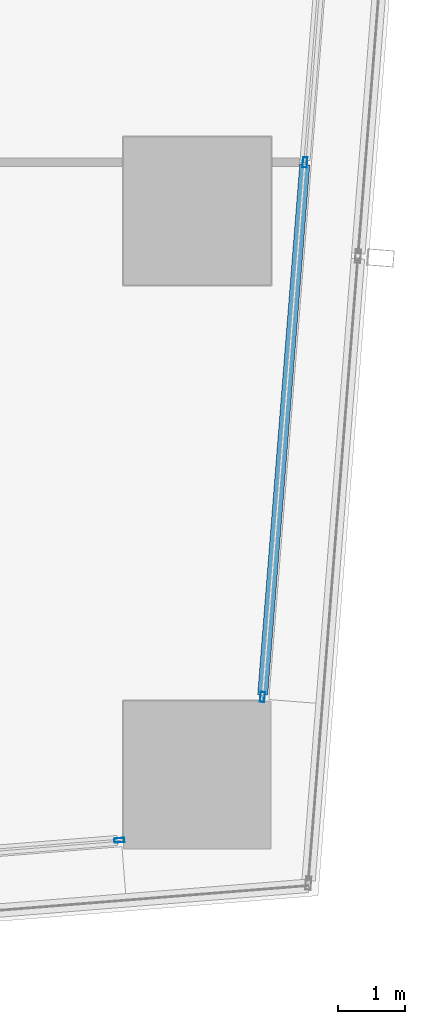
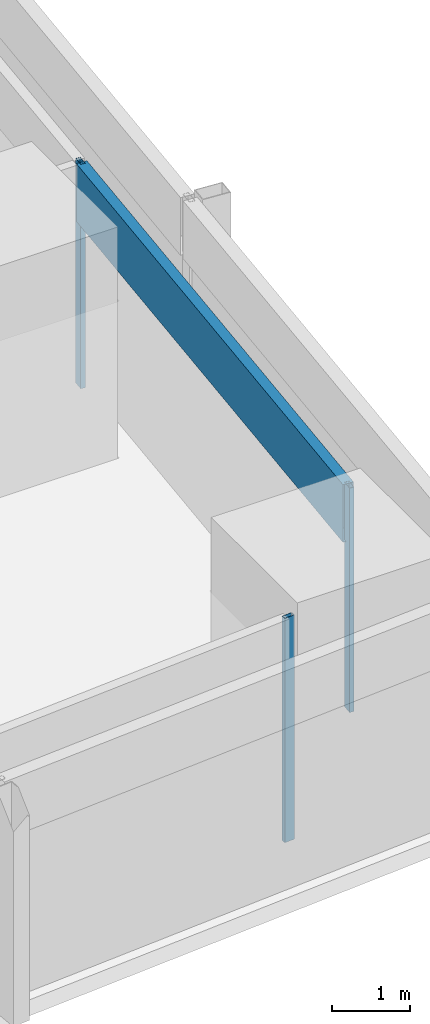
# One storey, part 12 of 44: 4 members, 2 elements without a shape of their own.
"""IFC4 building model written with IfcOpenShell, lengths in metres."""

import ifcopenshell
import ifcopenshell.guid

model = None  # the IFC model being written
_history = None  # IfcOwnerHistory: only IFC2X3 demands one
_inside = {}  # id of a spatial element -> (the spatial element, [elements in it])
_under = {}  # id of a project, library or spatial element -> (it, [spatial elements below it])
_declared = {}  # id of a project -> (the project, [libraries it declares])
_typed = {}  # id of a type object -> (the type object, [elements of that type])
_made_of = {}  # id of a material, layer set ... -> (it, [elements and type objects made of it])


def new_model(schema):
    """Start an empty IFC model of exactly this schema.

    Asked for "IFC4X3", IfcOpenShell would pick the latest addendum, in which some entities
    have other attributes; the version numbers below select the first issue.
    IFC2X3 requires an IfcOwnerHistory on every rooted entity: one is made here for all.
    """
    global model, _history
    if schema == "IFC4X3":
        model = ifcopenshell.file(schema_version=(4, 3, 0, 0))
    else:
        model = ifcopenshell.file(schema=schema)
    _inside.clear()
    _under.clear()
    _declared.clear()
    _typed.clear()
    _made_of.clear()
    _history = None
    if model.schema == "IFC2X3":
        org = make("IfcOrganization", Name="unknown")
        user = make(
            "IfcPersonAndOrganization",
            ThePerson=make("IfcPerson", FamilyName="unknown"),
            TheOrganization=org,
        )
        app = make(
            "IfcApplication",
            ApplicationDeveloper=org,
            Version="unknown",
            ApplicationFullName="unknown",
            ApplicationIdentifier="unknown",
        )
        _history = make(
            "IfcOwnerHistory",
            OwningUser=user,
            OwningApplication=app,
            ChangeAction="ADDED",
            CreationDate=0,
        )
    return model


def make(cls, **values):
    """One entity of the class cls with the attributes given. An attribute that is None is left unset."""
    return model.create_entity(
        cls, **{name: value for name, value in values.items() if value is not None}
    )


def rooted(cls, **values):
    """An entity with a GlobalId (a new one), such as an element, a storey or a relation."""
    return make(cls, GlobalId=ifcopenshell.guid.new(), OwnerHistory=_history, **values)


def si_unit(unit_type, name, prefix=None):
    """IfcSIUnit, for example si_unit("LENGTHUNIT", "METRE", prefix="MILLI")."""
    return make("IfcSIUnit", UnitType=unit_type, Prefix=prefix, Name=name)


def assignment(units):
    """IfcUnitAssignment: the units of a project."""
    return None if units is None else make("IfcUnitAssignment", Units=units)


def point(xyz):
    """IfcCartesianPoint."""
    return None if xyz is None else make("IfcCartesianPoint", Coordinates=xyz)


def direction(xyz):
    """IfcDirection."""
    return None if xyz is None else make("IfcDirection", DirectionRatios=xyz)


def frame(location, z_axis=None, x_axis=None):
    """IfcAxis2Placement3D, a coordinate frame: its origin and axes. An axis left out is left unset."""
    return make(
        "IfcAxis2Placement3D",
        Location=point(location),
        Axis=direction(z_axis),
        RefDirection=direction(x_axis),
    )


def frame_2d(location, x_axis=None):
    """IfcAxis2Placement2D, a coordinate frame in the plane: its origin and x axis."""
    return make(
        "IfcAxis2Placement2D", Location=point(location), RefDirection=direction(x_axis)
    )


def origin():
    """The frame at (0, 0, 0) with its axes left unset."""
    return frame((0.0, 0.0, 0.0))


def origin_2d():
    """The frame at (0, 0) in the plane with its x axis left unset."""
    return frame_2d((0.0, 0.0))


def place(relative_to, where):
    """IfcLocalPlacement: puts the frame where relative to a parent placement (None: the world)."""
    return make(
        "IfcLocalPlacement", PlacementRelTo=relative_to, RelativePlacement=where
    )


def context(
    kind, dimensions, precision=None, world=None, true_north=None, identifier=None
):
    """IfcGeometricRepresentationContext, for example the 3D "Model" context."""
    return make(
        "IfcGeometricRepresentationContext",
        ContextIdentifier=identifier,
        ContextType=kind,
        CoordinateSpaceDimension=dimensions,
        Precision=precision,
        WorldCoordinateSystem=world,
        TrueNorth=true_north,
    )


def subcontext(parent, identifier, kind, view, scale=None):
    """IfcGeometricRepresentationSubContext, for example "Body" below "Model"."""
    return make(
        "IfcGeometricRepresentationSubContext",
        ContextIdentifier=identifier,
        ContextType=kind,
        ParentContext=parent,
        TargetScale=scale,
        TargetView=view,
    )


def project(units=None, contexts=None):
    """IfcProject with its units and contexts."""
    return rooted(
        "IfcProject",
        Name="project",
        RepresentationContexts=contexts,
        UnitsInContext=assignment(units),
    )


def spatial(cls, under=None, at=None, **own):
    """A site, building, storey or space (cls), placed at a placement, below another one or the project."""
    s = rooted(cls, ObjectPlacement=at, **own)
    if under is not None:
        _under.setdefault(under.id(), (under, []))[1].append(s)
    return s


def profile(cls, at=None, kind="AREA", **sizes):
    """A parametric profile (cls). Its sizes go by their IFC names, for example OverallWidth=200.0."""
    return make(cls, ProfileType=kind, Position=at, **sizes)


def hollow_rectangle(**sizes):
    """IfcRectangleHollowProfileDef."""
    return profile("IfcRectangleHollowProfileDef", **sizes)


def extrude(swept, where, along, depth):
    """IfcExtrudedAreaSolid: the profile swept, set in the frame where, extruded along a direction by depth."""
    return make(
        "IfcExtrudedAreaSolid",
        SweptArea=swept,
        Position=where,
        ExtrudedDirection=direction(along),
        Depth=depth,
    )


def shape(context_of_items, identifier, shape_type, items):
    """IfcShapeRepresentation: the items that make up one representation, for example the "Body"."""
    return make(
        "IfcShapeRepresentation",
        ContextOfItems=context_of_items,
        RepresentationIdentifier=identifier,
        RepresentationType=shape_type,
        Items=items,
    )


def material(Name=None, Category=None):
    """IfcMaterial."""
    return make("IfcMaterial", Name=Name, Category=Category)


def material_profile(
    of_material, cross_section, Name=None, Category=None, Priority=None
):
    """IfcMaterialProfile: a cross section and its material."""
    return make(
        "IfcMaterialProfile",
        Name=Name,
        Material=of_material,
        Profile=cross_section,
        Priority=Priority,
        Category=Category,
    )


def profile_set(profiles, Name=None, composite=None):
    """IfcMaterialProfileSet."""
    return make(
        "IfcMaterialProfileSet",
        Name=Name,
        MaterialProfiles=profiles,
        CompositeProfile=composite,
    )


def made_of(thing, what):
    """Note that an element or type object is made of a material, layer set ...; save() writes the relation."""
    if what is not None:
        _made_of.setdefault(what.id(), (what, []))[1].append(thing)
    return thing


def type_object(cls, material=None, **own):
    """A type object (cls), such as IfcWallType, which elements share."""
    return made_of(rooted(cls, **own), material)


def element(
    cls,
    number,
    at=None,
    inside=None,
    cuts=None,
    type_object=None,
    material=None,
    context=None,
    identifier="Body",
    shape_type=None,
    held_by="IfcProductDefinitionShape",
    body=None,
    shapes=None,
    **own,
):
    """One element of the class cls, such as IfcWall. Its Tag is "e" and its number.

    at: its placement. inside: the storey or other place that contains it. cuts: it is an
    opening in that element (IfcRelVoidsElement). A single representation is given by context,
    identifier, shape_type and body (its items); several are given by shapes. held_by: the class
    of the entity that holds the representations. save() writes the other relations.
    """
    e = rooted(cls, Tag="e%d" % number, ObjectPlacement=at, **own)
    if body is not None:
        shapes = [shape(context, identifier, shape_type, body)]
    if shapes is not None:
        e.Representation = make(held_by, Representations=shapes)
    if inside is not None:
        _inside.setdefault(inside.id(), (inside, []))[1].append(e)
    if cuts is not None:
        rooted(
            "IfcRelVoidsElement", RelatingBuildingElement=cuts, RelatedOpeningElement=e
        )
    if type_object is not None:
        _typed.setdefault(type_object.id(), (type_object, []))[1].append(e)
    return made_of(e, material)


def aggregate(whole, parts):
    """IfcRelAggregates: a whole, such as a stair, and the parts it consists of."""
    return rooted("IfcRelAggregates", RelatingObject=whole, RelatedObjects=parts)


def save(model, path):
    """Write the relations noted so far, then the file.

    IfcRelAggregates (storeys below a building ...), IfcRelContainedInSpatialStructure (elements
    in a storey), IfcRelDefinesByType, IfcRelAssociatesMaterial and IfcRelDeclares: one each for
    every whole, place, type object, material and project.
    """
    for whole, parts in _under.values():
        aggregate(whole, parts)
    for where, things in _inside.values():
        rooted(
            "IfcRelContainedInSpatialStructure",
            RelatedElements=things,
            RelatingStructure=where,
        )
    for kind, things in _typed.values():
        rooted("IfcRelDefinesByType", RelatedObjects=things, RelatingType=kind)
    for what, things in _made_of.values():
        rooted("IfcRelAssociatesMaterial", RelatedObjects=things, RelatingMaterial=what)
    for by, libraries in _declared.values():
        rooted("IfcRelDeclares", RelatingContext=by, RelatedDefinitions=libraries)
    model.write(path)


model = new_model("IFC4")

# Units and contexts
model_context = context("Model", 3, precision=1e-05, world=origin(), true_north=direction((0.0, 1.0)))
body_context = subcontext(model_context, "Body", "Model", "MODEL_VIEW")
ifc_project = project(units=[si_unit("LENGTHUNIT", "METRE"), si_unit("AREAUNIT", "SQUARE_METRE"), si_unit("VOLUMEUNIT", "CUBIC_METRE"), si_unit("PLANEANGLEUNIT", "RADIAN"), si_unit("MASSUNIT", "GRAM", prefix="KILO")], contexts=[model_context])

# Site, building, storey
site_placement = place(None, origin())
site = spatial("IfcSite", under=ifc_project, at=site_placement, CompositionType="ELEMENT")
building_placement = place(site_placement, origin())
building = spatial("IfcBuilding", under=site, at=building_placement, Name="Rekha Terrace Tower", CompositionType="ELEMENT")
storey_placement = place(building_placement, frame((0.0, 0.0, 66.64990234375)))
storey = spatial("IfcBuildingStorey", under=building, at=storey_placement, Name="L16", CompositionType="ELEMENT", Elevation=66.64990234375)

# Curtain wall, member
ifc_material_1 = material(Name="Aluminium framing", Category="aluminium")
curtain_wall_type = type_object("IfcCurtainWallType", Name="CW1 double skin inner glazing", PredefinedType="USERDEFINED", material=ifc_material_1)
curtain_wall_1_placement = place(storey_placement, origin())
curtain_wall_1 = element("IfcCurtainWall", 1, at=curtain_wall_1_placement, inside=storey, type_object=curtain_wall_type, Name="CW1 double skin inner glazing", ObjectType="DOUBLE SKIN INNER GLAZING", PredefinedType="USERDEFINED")
ifc_material_2 = material(Name="Aluminium mullion section", Category="aluminium")
ifc_material_profile_1 = material_profile(ifc_material_2, hollow_rectangle(XDim=0.06494140625, YDim=0.14990234375, WallThickness=0.00390625, at=origin_2d()), Name="AL RHS 65x150")
ifc_profile_set_1 = profile_set([ifc_material_profile_1], Name="Aluminium mullion section")
member_type_1 = type_object("IfcMemberType", Name="CW1 mullion RHS 65 x 150", PredefinedType="MULLION", material=ifc_profile_set_1)
member_1_placement = place(storey_placement, frame((66.0400390625, 7.42626953125, 0.0), z_axis=(0.0, 0.0, 1.0), x_axis=(-0.079872204468, 0.996805111821, 0.0)))
member_1 = element("IfcMember", 2, at=member_1_placement, type_object=member_type_1, Name="CW1 mullion 3", PredefinedType="MULLION", context=body_context, shape_type="SweptSolid", body=[
    extrude(hollow_rectangle(XDim=0.06494140625, YDim=0.14990234375, WallThickness=0.00390625, at=origin_2d()), origin(), (0.0, 0.0, 1.0), 3.5),
])
aggregate(curtain_wall_1, [member_1])

# Curtain wall, members
curtain_wall_2_placement = place(storey_placement, origin())
curtain_wall_2 = element("IfcCurtainWall", 3, at=curtain_wall_2_placement, inside=storey, type_object=curtain_wall_type, Name="CW1 double skin inner glazing", ObjectType="DOUBLE SKIN INNER GLAZING", PredefinedType="USERDEFINED")
member_2_placement = place(storey_placement, frame((68.171630859375, 9.559814453125, 0.0), z_axis=(0.0, 0.0, 1.0), x_axis=(-0.996865392576, 0.079116301, 0.0)))
member_2 = element("IfcMember", 4, at=member_2_placement, type_object=member_type_1, Name="CW1 mullion 1", PredefinedType="MULLION", context=body_context, shape_type="SweptSolid", body=[
    extrude(hollow_rectangle(XDim=0.06494140625, YDim=0.14990234375, WallThickness=0.00390625, at=origin_2d()), origin(), (0.0, 0.0, 1.0), 3.5),
])
member_3_placement = place(storey_placement, frame((68.8037109375, 17.5234375, 0.0), z_axis=(0.0, 0.0, 1.0), x_axis=(-0.996865392576, 0.079116301, 0.0)))
member_3 = element("IfcMember", 5, at=member_3_placement, type_object=member_type_1, Name="CW1 mullion 2", PredefinedType="MULLION", context=body_context, shape_type="SweptSolid", body=[
    extrude(hollow_rectangle(XDim=0.06494140625, YDim=0.14990234375, WallThickness=0.00390625, at=origin_2d()), origin(), (0.0, 0.0, 1.0), 3.5),
])
ifc_material_3 = material(Name="Insulated aluminium spandrel box", Category="aluminium")
ifc_material_profile_2 = material_profile(ifc_material_3, hollow_rectangle(XDim=0.14990234375, YDim=0.89990234375, WallThickness=0.0029296875, at=origin_2d()), Name="AL SPANDREL BOX 150x900")
ifc_profile_set_2 = profile_set([ifc_material_profile_2], Name="Insulated aluminium spandrel box")
member_type_2 = type_object("IfcMemberType", Name="CW1 spandrel transom 150 x 900", PredefinedType="USERDEFINED", material=ifc_profile_set_2)
member_4_placement = place(storey_placement, frame((68.174072265625, 9.59228515625, 3.050048828125), z_axis=(0.079125535375, 0.996864659646, 0.0), x_axis=(-0.996864659646, 0.079125535375, 0.0)))
member_4 = element("IfcMember", 6, at=member_4_placement, type_object=member_type_2, Name="CW1 spandrel transom 1", ObjectType="TRANSOM", PredefinedType="USERDEFINED", context=body_context, shape_type="SweptSolid", body=[
    extrude(hollow_rectangle(XDim=0.14990234375, YDim=0.89990234375, WallThickness=0.0029296875, at=origin_2d()), origin(), (0.0, 0.0, 1.0), 7.923583984375),
])
aggregate(curtain_wall_2, [member_2, member_3, member_4])

save(model, "model.ifc")
